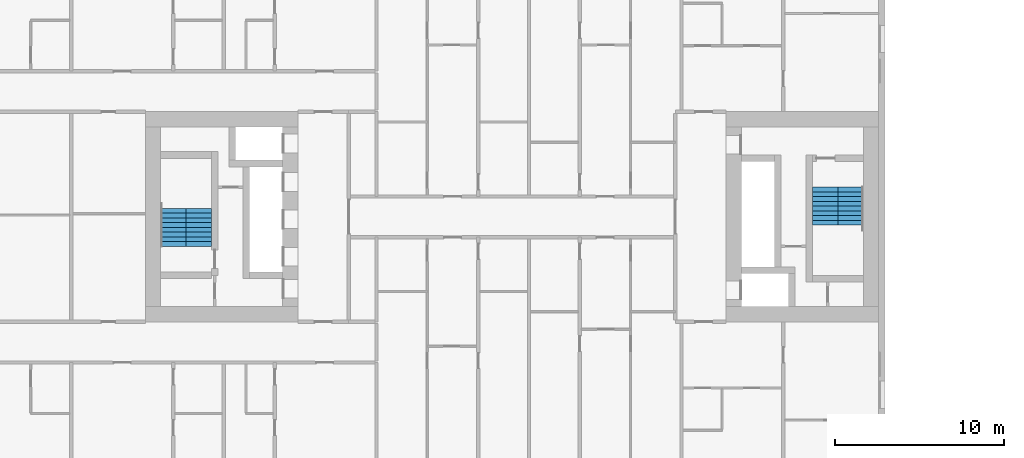
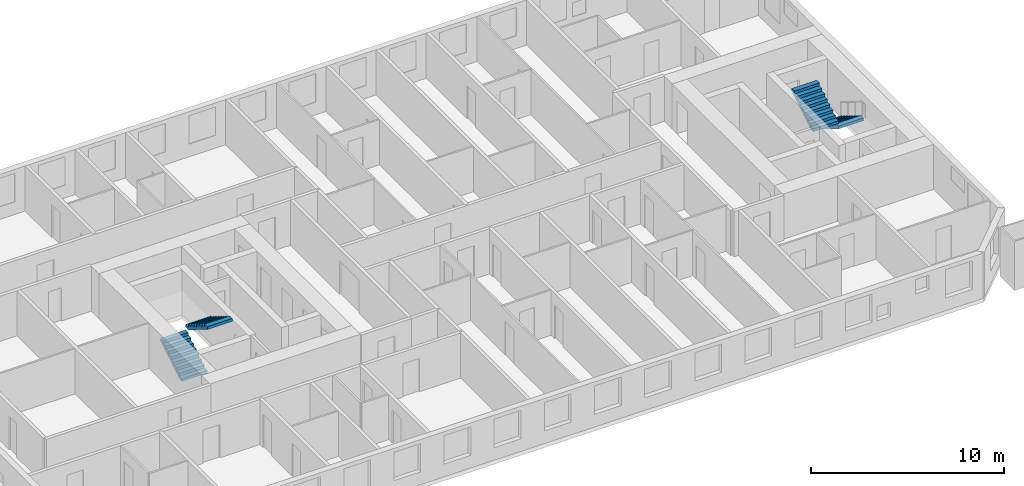
# One storey, part 16 of 17: 4 stair flights, 2 elements without a shape of their own.
"""IFC4 building model written with IfcOpenShell, lengths in metres."""

from ifc_helpers import new_model, si_unit, direction, frame, origin, place, context, subcontext, project, spatial, faceted_brep, material, type_object, element, aggregate, save


model = new_model("IFC4")

# Units and contexts
model_context = context("Model", 3, precision=1e-05, world=origin(), true_north=direction((0.0, 1.0)))
body_context = subcontext(model_context, "Body", "Model", "MODEL_VIEW")
ifc_project = project(units=[si_unit("LENGTHUNIT", "METRE"), si_unit("AREAUNIT", "SQUARE_METRE"), si_unit("VOLUMEUNIT", "CUBIC_METRE"), si_unit("PLANEANGLEUNIT", "RADIAN"), si_unit("MASSUNIT", "GRAM", prefix="KILO")], contexts=[model_context])

# Site, building, storey
site_placement = place(None, origin())
site = spatial("IfcSite", under=ifc_project, at=site_placement, CompositionType="ELEMENT")
building_placement = place(site_placement, origin())
building = spatial("IfcBuilding", under=site, at=building_placement, Name="Tuart Gate Housing", CompositionType="ELEMENT")
storey_placement = place(building_placement, frame((0.0, 0.0, 22.60009765625)))
storey = spatial("IfcBuildingStorey", under=building, at=storey_placement, Name="L05", CompositionType="ELEMENT", Elevation=22.60009765625)

# Stair, stair flights
ifc_material_1 = material(Name="Concrete C40", Category="concrete")
stair_type = type_object("IfcStairType", Name="Core stair 1500", PredefinedType="HALF_TURN_STAIR", material=ifc_material_1)
stair_1_placement = place(storey_placement, origin())
stair_1 = element("IfcStair", 1, at=stair_1_placement, inside=storey, type_object=stair_type, Name="Stair SA1", PredefinedType="HALF_TURN_STAIR")
ifc_material_2 = material(Name="Concrete C40", Category="concrete")
stair_flight_type = type_object("IfcStairFlightType", Name="Stair flight 1500, 9 risers 172 x 280", PredefinedType="STRAIGHT", material=ifc_material_2)
stair_flight_1_placement = place(storey_placement, frame((73.989990234375, 71.75, 0.0), z_axis=(0.0, 0.0, 1.0), x_axis=(0.0, -1.0, 0.0)))
stair_flight_1 = element("IfcStairFlight", 2, at=stair_flight_1_placement, type_object=stair_flight_type, Name="SA1 flight 1", NumberOfRisers=9, NumberOfTreads=8, PredefinedType="STRAIGHT", RiserHeight=0.172222222, TreadLength=0.28, context=body_context, shape_type="Brep", body=[
    faceted_brep([(0.0, 0.75, 0.0), (0.0, 0.75, 0.172119140625), (0.280029296875, 0.75, 0.172119140625), (0.280029296875, 0.75, 0.344482421875), (0.56005859375, 0.75, 0.344482421875), (0.56005859375, 0.75, 0.5166015625), (0.840087890625, 0.75, 0.5166015625), (0.840087890625, 0.75, 0.68896484375), (1.1201171875, 0.75, 0.68896484375), (1.1201171875, 0.75, 0.861083984375), (1.39990234375, 0.75, 0.861083984375), (1.39990234375, 0.75, 1.033447265625), (1.679931640625, 0.75, 1.033447265625), (1.679931640625, 0.75, 1.20556640625), (1.9599609375, 0.75, 1.20556640625), (1.9599609375, 0.75, 1.377685546875), (2.239990234375, 0.75, 1.377685546875), (2.239990234375, 0.75, 1.201904296875), (0.2861328125, 0.75, 0.0), (0.2861328125, -0.75, 0.0), (2.239990234375, -0.75, 1.201904296875), (2.239990234375, -0.75, 1.377685546875), (1.9599609375, -0.75, 1.377685546875), (1.9599609375, -0.75, 1.20556640625), (1.679931640625, -0.75, 1.20556640625), (1.679931640625, -0.75, 1.033447265625), (1.39990234375, -0.75, 1.033447265625), (1.39990234375, -0.75, 0.861083984375), (1.1201171875, -0.75, 0.861083984375), (1.1201171875, -0.75, 0.68896484375), (0.840087890625, -0.75, 0.68896484375), (0.840087890625, -0.75, 0.5166015625), (0.56005859375, -0.75, 0.5166015625), (0.56005859375, -0.75, 0.344482421875), (0.280029296875, -0.75, 0.344482421875), (0.280029296875, -0.75, 0.172119140625), (0.0, -0.75, 0.172119140625), (0.0, -0.75, 0.0), (2.239990234375, 0.0, 1.201904296875), (0.2861328125, 0.0, 0.0), (2.239990234375, 0.0, 1.377685546875), (1.9599609375, 0.0, 1.377685546875), (1.9599609375, 0.0, 1.20556640625), (1.679931640625, 0.0, 1.20556640625), (1.679931640625, 0.0, 1.033447265625), (1.39990234375, 0.0, 1.033447265625), (1.39990234375, 0.0, 0.861083984375), (1.1201171875, 0.0, 0.861083984375), (1.1201171875, 0.0, 0.68896484375), (0.840087890625, 0.0, 0.68896484375), (0.840087890625, 0.0, 0.5166015625), (0.56005859375, 0.0, 0.5166015625), (0.56005859375, 0.0, 0.344482421875), (0.280029296875, 0.0, 0.344482421875), (0.280029296875, 0.0, 0.172119140625), (0.0, 0.0, 0.172119140625), (0.0, 0.0, 0.0)], [[[0, 1, 2, 3, 4, 5, 6, 7, 8, 9, 10, 11, 12, 13, 14, 15, 16, 17, 18]], [[19, 20, 21, 22, 23, 24, 25, 26, 27, 28, 29, 30, 31, 32, 33, 34, 35, 36, 37]], [[18, 17, 38, 39]], [[39, 38, 20, 19]], [[17, 16, 40, 38]], [[38, 40, 21, 20]], [[16, 15, 41, 40]], [[40, 41, 22, 21]], [[15, 14, 42, 41]], [[41, 42, 23, 22]], [[14, 13, 43, 42]], [[42, 43, 24, 23]], [[13, 12, 44, 43]], [[43, 44, 25, 24]], [[12, 11, 45, 44]], [[44, 45, 26, 25]], [[11, 10, 46, 45]], [[45, 46, 27, 26]], [[10, 9, 47, 46]], [[46, 47, 28, 27]], [[9, 8, 48, 47]], [[47, 48, 29, 28]], [[8, 7, 49, 48]], [[48, 49, 30, 29]], [[7, 6, 50, 49]], [[49, 50, 31, 30]], [[6, 5, 51, 50]], [[50, 51, 32, 31]], [[5, 4, 52, 51]], [[51, 52, 33, 32]], [[4, 3, 53, 52]], [[52, 53, 34, 33]], [[3, 2, 54, 53]], [[53, 54, 35, 34]], [[2, 1, 55, 54]], [[54, 55, 36, 35]], [[1, 0, 56, 55]], [[55, 56, 37, 36]], [[0, 18, 39, 56]], [[56, 39, 19, 37]]]),
])
stair_flight_2_placement = place(storey_placement, frame((72.489990234375, 69.510009765625, 1.5498046875), z_axis=(0.0, 0.0, 1.0), x_axis=(0.0, 1.0, 0.0)))
stair_flight_2 = element("IfcStairFlight", 3, at=stair_flight_2_placement, type_object=stair_flight_type, Name="SA1 flight 2", NumberOfRisers=9, NumberOfTreads=8, PredefinedType="STRAIGHT", RiserHeight=0.172222222, TreadLength=0.28, context=body_context, shape_type="Brep", body=[
    faceted_brep([(0.0, 0.75, 0.0), (0.0, 0.75, 0.172119140625), (0.280029296875, 0.75, 0.172119140625), (0.280029296875, 0.75, 0.344482421875), (0.56005859375, 0.75, 0.344482421875), (0.56005859375, 0.75, 0.5166015625), (0.840087890625, 0.75, 0.5166015625), (0.840087890625, 0.75, 0.68896484375), (1.1201171875, 0.75, 0.68896484375), (1.1201171875, 0.75, 0.861083984375), (1.39990234375, 0.75, 0.861083984375), (1.39990234375, 0.75, 1.033447265625), (1.679931640625, 0.75, 1.033447265625), (1.679931640625, 0.75, 1.20556640625), (1.9599609375, 0.75, 1.20556640625), (1.9599609375, 0.75, 1.377685546875), (2.239990234375, 0.75, 1.377685546875), (2.239990234375, 0.75, 1.201904296875), (0.2861328125, 0.75, 0.0), (0.2861328125, -0.75, 0.0), (2.239990234375, -0.75, 1.201904296875), (2.239990234375, -0.75, 1.377685546875), (1.9599609375, -0.75, 1.377685546875), (1.9599609375, -0.75, 1.20556640625), (1.679931640625, -0.75, 1.20556640625), (1.679931640625, -0.75, 1.033447265625), (1.39990234375, -0.75, 1.033447265625), (1.39990234375, -0.75, 0.861083984375), (1.1201171875, -0.75, 0.861083984375), (1.1201171875, -0.75, 0.68896484375), (0.840087890625, -0.75, 0.68896484375), (0.840087890625, -0.75, 0.5166015625), (0.56005859375, -0.75, 0.5166015625), (0.56005859375, -0.75, 0.344482421875), (0.280029296875, -0.75, 0.344482421875), (0.280029296875, -0.75, 0.172119140625), (0.0, -0.75, 0.172119140625), (0.0, -0.75, 0.0), (2.239990234375, 0.0, 1.201904296875), (0.2861328125, 0.0, 0.0), (2.239990234375, 0.0, 1.377685546875), (1.9599609375, 0.0, 1.377685546875), (1.9599609375, 0.0, 1.20556640625), (1.679931640625, 0.0, 1.20556640625), (1.679931640625, 0.0, 1.033447265625), (1.39990234375, 0.0, 1.033447265625), (1.39990234375, 0.0, 0.861083984375), (1.1201171875, 0.0, 0.861083984375), (1.1201171875, 0.0, 0.68896484375), (0.840087890625, 0.0, 0.68896484375), (0.840087890625, 0.0, 0.5166015625), (0.56005859375, 0.0, 0.5166015625), (0.56005859375, 0.0, 0.344482421875), (0.280029296875, 0.0, 0.344482421875), (0.280029296875, 0.0, 0.172119140625), (0.0, 0.0, 0.172119140625), (0.0, 0.0, 0.0)], [[[0, 1, 2, 3, 4, 5, 6, 7, 8, 9, 10, 11, 12, 13, 14, 15, 16, 17, 18]], [[19, 20, 21, 22, 23, 24, 25, 26, 27, 28, 29, 30, 31, 32, 33, 34, 35, 36, 37]], [[18, 17, 38, 39]], [[39, 38, 20, 19]], [[17, 16, 40, 38]], [[38, 40, 21, 20]], [[16, 15, 41, 40]], [[40, 41, 22, 21]], [[15, 14, 42, 41]], [[41, 42, 23, 22]], [[14, 13, 43, 42]], [[42, 43, 24, 23]], [[13, 12, 44, 43]], [[43, 44, 25, 24]], [[12, 11, 45, 44]], [[44, 45, 26, 25]], [[11, 10, 46, 45]], [[45, 46, 27, 26]], [[10, 9, 47, 46]], [[46, 47, 28, 27]], [[9, 8, 48, 47]], [[47, 48, 29, 28]], [[8, 7, 49, 48]], [[48, 49, 30, 29]], [[7, 6, 50, 49]], [[49, 50, 31, 30]], [[6, 5, 51, 50]], [[50, 51, 32, 31]], [[5, 4, 52, 51]], [[51, 52, 33, 32]], [[4, 3, 53, 52]], [[52, 53, 34, 33]], [[3, 2, 54, 53]], [[53, 54, 35, 34]], [[2, 1, 55, 54]], [[54, 55, 36, 35]], [[1, 0, 56, 55]], [[55, 56, 37, 36]], [[0, 18, 39, 56]], [[56, 39, 19, 37]]]),
])
aggregate(stair_1, [stair_flight_1, stair_flight_2])

stair_2_placement = place(storey_placement, origin())
stair_2 = element("IfcStair", 4, at=stair_2_placement, inside=storey, type_object=stair_type, Name="Stair SA2", PredefinedType="HALF_TURN_STAIR")
stair_flight_3_placement = place(storey_placement, frame((34.010009765625, 68.25, 0.0), z_axis=(0.0, 0.0, 1.0), x_axis=(0.0, 1.0, 0.0)))
stair_flight_3 = element("IfcStairFlight", 5, at=stair_flight_3_placement, type_object=stair_flight_type, Name="SA2 flight 1", NumberOfRisers=9, NumberOfTreads=8, PredefinedType="STRAIGHT", RiserHeight=0.172222222, TreadLength=0.28, context=body_context, shape_type="Brep", body=[
    faceted_brep([(0.0, 0.75, 0.0), (0.0, 0.75, 0.172119140625), (0.280029296875, 0.75, 0.172119140625), (0.280029296875, 0.75, 0.344482421875), (0.56005859375, 0.75, 0.344482421875), (0.56005859375, 0.75, 0.5166015625), (0.840087890625, 0.75, 0.5166015625), (0.840087890625, 0.75, 0.68896484375), (1.1201171875, 0.75, 0.68896484375), (1.1201171875, 0.75, 0.861083984375), (1.39990234375, 0.75, 0.861083984375), (1.39990234375, 0.75, 1.033447265625), (1.679931640625, 0.75, 1.033447265625), (1.679931640625, 0.75, 1.20556640625), (1.9599609375, 0.75, 1.20556640625), (1.9599609375, 0.75, 1.377685546875), (2.239990234375, 0.75, 1.377685546875), (2.239990234375, 0.75, 1.201904296875), (0.2861328125, 0.75, 0.0), (0.2861328125, -0.75, 0.0), (2.239990234375, -0.75, 1.201904296875), (2.239990234375, -0.75, 1.377685546875), (1.9599609375, -0.75, 1.377685546875), (1.9599609375, -0.75, 1.20556640625), (1.679931640625, -0.75, 1.20556640625), (1.679931640625, -0.75, 1.033447265625), (1.39990234375, -0.75, 1.033447265625), (1.39990234375, -0.75, 0.861083984375), (1.1201171875, -0.75, 0.861083984375), (1.1201171875, -0.75, 0.68896484375), (0.840087890625, -0.75, 0.68896484375), (0.840087890625, -0.75, 0.5166015625), (0.56005859375, -0.75, 0.5166015625), (0.56005859375, -0.75, 0.344482421875), (0.280029296875, -0.75, 0.344482421875), (0.280029296875, -0.75, 0.172119140625), (0.0, -0.75, 0.172119140625), (0.0, -0.75, 0.0), (2.239990234375, 0.0, 1.201904296875), (0.2861328125, 0.0, 0.0), (2.239990234375, 0.0, 1.377685546875), (1.9599609375, 0.0, 1.377685546875), (1.9599609375, 0.0, 1.20556640625), (1.679931640625, 0.0, 1.20556640625), (1.679931640625, 0.0, 1.033447265625), (1.39990234375, 0.0, 1.033447265625), (1.39990234375, 0.0, 0.861083984375), (1.1201171875, 0.0, 0.861083984375), (1.1201171875, 0.0, 0.68896484375), (0.840087890625, 0.0, 0.68896484375), (0.840087890625, 0.0, 0.5166015625), (0.56005859375, 0.0, 0.5166015625), (0.56005859375, 0.0, 0.344482421875), (0.280029296875, 0.0, 0.344482421875), (0.280029296875, 0.0, 0.172119140625), (0.0, 0.0, 0.172119140625), (0.0, 0.0, 0.0)], [[[0, 1, 2, 3, 4, 5, 6, 7, 8, 9, 10, 11, 12, 13, 14, 15, 16, 17, 18]], [[19, 20, 21, 22, 23, 24, 25, 26, 27, 28, 29, 30, 31, 32, 33, 34, 35, 36, 37]], [[18, 17, 38, 39]], [[39, 38, 20, 19]], [[17, 16, 40, 38]], [[38, 40, 21, 20]], [[16, 15, 41, 40]], [[40, 41, 22, 21]], [[15, 14, 42, 41]], [[41, 42, 23, 22]], [[14, 13, 43, 42]], [[42, 43, 24, 23]], [[13, 12, 44, 43]], [[43, 44, 25, 24]], [[12, 11, 45, 44]], [[44, 45, 26, 25]], [[11, 10, 46, 45]], [[45, 46, 27, 26]], [[10, 9, 47, 46]], [[46, 47, 28, 27]], [[9, 8, 48, 47]], [[47, 48, 29, 28]], [[8, 7, 49, 48]], [[48, 49, 30, 29]], [[7, 6, 50, 49]], [[49, 50, 31, 30]], [[6, 5, 51, 50]], [[50, 51, 32, 31]], [[5, 4, 52, 51]], [[51, 52, 33, 32]], [[4, 3, 53, 52]], [[52, 53, 34, 33]], [[3, 2, 54, 53]], [[53, 54, 35, 34]], [[2, 1, 55, 54]], [[54, 55, 36, 35]], [[1, 0, 56, 55]], [[55, 56, 37, 36]], [[0, 18, 39, 56]], [[56, 39, 19, 37]]]),
])
stair_flight_4_placement = place(storey_placement, frame((35.510009765625, 70.489990234375, 1.5498046875), z_axis=(0.0, 0.0, 1.0), x_axis=(0.0, -1.0, 0.0)))
stair_flight_4 = element("IfcStairFlight", 6, at=stair_flight_4_placement, type_object=stair_flight_type, Name="SA2 flight 2", NumberOfRisers=9, NumberOfTreads=8, PredefinedType="STRAIGHT", RiserHeight=0.172222222, TreadLength=0.28, context=body_context, shape_type="Brep", body=[
    faceted_brep([(0.0, 0.75, 0.0), (0.0, 0.75, 0.172119140625), (0.280029296875, 0.75, 0.172119140625), (0.280029296875, 0.75, 0.344482421875), (0.56005859375, 0.75, 0.344482421875), (0.56005859375, 0.75, 0.5166015625), (0.840087890625, 0.75, 0.5166015625), (0.840087890625, 0.75, 0.68896484375), (1.1201171875, 0.75, 0.68896484375), (1.1201171875, 0.75, 0.861083984375), (1.39990234375, 0.75, 0.861083984375), (1.39990234375, 0.75, 1.033447265625), (1.679931640625, 0.75, 1.033447265625), (1.679931640625, 0.75, 1.20556640625), (1.9599609375, 0.75, 1.20556640625), (1.9599609375, 0.75, 1.377685546875), (2.239990234375, 0.75, 1.377685546875), (2.239990234375, 0.75, 1.201904296875), (0.2861328125, 0.75, 0.0), (0.2861328125, -0.75, 0.0), (2.239990234375, -0.75, 1.201904296875), (2.239990234375, -0.75, 1.377685546875), (1.9599609375, -0.75, 1.377685546875), (1.9599609375, -0.75, 1.20556640625), (1.679931640625, -0.75, 1.20556640625), (1.679931640625, -0.75, 1.033447265625), (1.39990234375, -0.75, 1.033447265625), (1.39990234375, -0.75, 0.861083984375), (1.1201171875, -0.75, 0.861083984375), (1.1201171875, -0.75, 0.68896484375), (0.840087890625, -0.75, 0.68896484375), (0.840087890625, -0.75, 0.5166015625), (0.56005859375, -0.75, 0.5166015625), (0.56005859375, -0.75, 0.344482421875), (0.280029296875, -0.75, 0.344482421875), (0.280029296875, -0.75, 0.172119140625), (0.0, -0.75, 0.172119140625), (0.0, -0.75, 0.0), (2.239990234375, 0.0, 1.201904296875), (0.2861328125, 0.0, 0.0), (2.239990234375, 0.0, 1.377685546875), (1.9599609375, 0.0, 1.377685546875), (1.9599609375, 0.0, 1.20556640625), (1.679931640625, 0.0, 1.20556640625), (1.679931640625, 0.0, 1.033447265625), (1.39990234375, 0.0, 1.033447265625), (1.39990234375, 0.0, 0.861083984375), (1.1201171875, 0.0, 0.861083984375), (1.1201171875, 0.0, 0.68896484375), (0.840087890625, 0.0, 0.68896484375), (0.840087890625, 0.0, 0.5166015625), (0.56005859375, 0.0, 0.5166015625), (0.56005859375, 0.0, 0.344482421875), (0.280029296875, 0.0, 0.344482421875), (0.280029296875, 0.0, 0.172119140625), (0.0, 0.0, 0.172119140625), (0.0, 0.0, 0.0)], [[[0, 1, 2, 3, 4, 5, 6, 7, 8, 9, 10, 11, 12, 13, 14, 15, 16, 17, 18]], [[19, 20, 21, 22, 23, 24, 25, 26, 27, 28, 29, 30, 31, 32, 33, 34, 35, 36, 37]], [[18, 17, 38, 39]], [[39, 38, 20, 19]], [[17, 16, 40, 38]], [[38, 40, 21, 20]], [[16, 15, 41, 40]], [[40, 41, 22, 21]], [[15, 14, 42, 41]], [[41, 42, 23, 22]], [[14, 13, 43, 42]], [[42, 43, 24, 23]], [[13, 12, 44, 43]], [[43, 44, 25, 24]], [[12, 11, 45, 44]], [[44, 45, 26, 25]], [[11, 10, 46, 45]], [[45, 46, 27, 26]], [[10, 9, 47, 46]], [[46, 47, 28, 27]], [[9, 8, 48, 47]], [[47, 48, 29, 28]], [[8, 7, 49, 48]], [[48, 49, 30, 29]], [[7, 6, 50, 49]], [[49, 50, 31, 30]], [[6, 5, 51, 50]], [[50, 51, 32, 31]], [[5, 4, 52, 51]], [[51, 52, 33, 32]], [[4, 3, 53, 52]], [[52, 53, 34, 33]], [[3, 2, 54, 53]], [[53, 54, 35, 34]], [[2, 1, 55, 54]], [[54, 55, 36, 35]], [[1, 0, 56, 55]], [[55, 56, 37, 36]], [[0, 18, 39, 56]], [[56, 39, 19, 37]]]),
])
aggregate(stair_2, [stair_flight_3, stair_flight_4])

save(model, "model.ifc")
